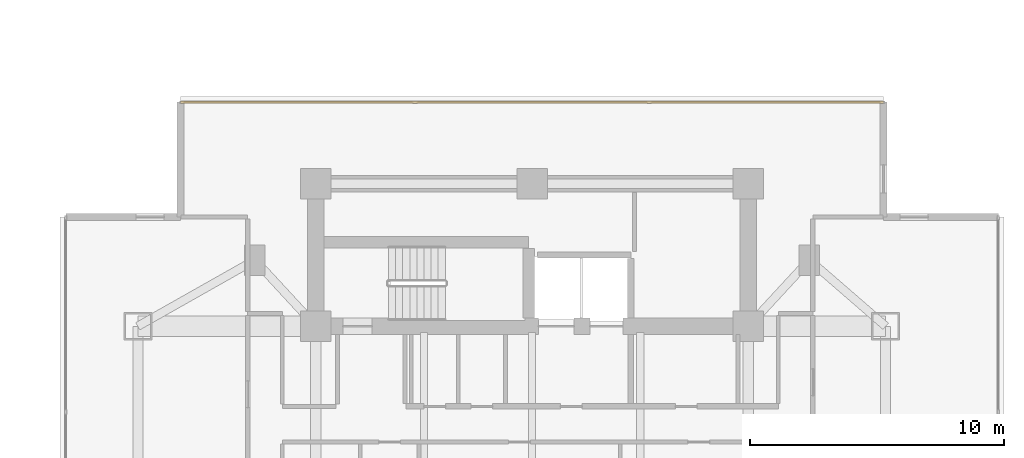
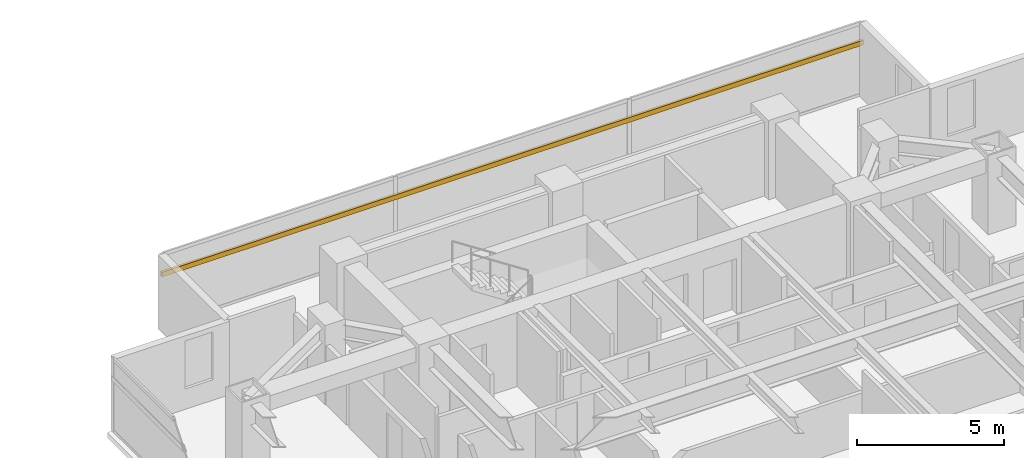
# One storey, part 25 of 25: 1 shading device.
"""IFC4 building model written with IfcOpenShell, lengths in metres."""

from ifc_helpers import new_model, si_unit, direction, frame, origin, origin_2d, place, context, subcontext, project, spatial, rectangle, extrude, material, material_profile, profile_set, type_object, element, save


model = new_model("IFC4")

# Units and contexts
model_context = context("Model", 3, precision=1e-05, world=origin(), true_north=direction((0.0, 1.0)))
body_context = subcontext(model_context, "Body", "Model", "MODEL_VIEW")
ifc_project = project(units=[si_unit("LENGTHUNIT", "METRE"), si_unit("AREAUNIT", "SQUARE_METRE"), si_unit("VOLUMEUNIT", "CUBIC_METRE"), si_unit("PLANEANGLEUNIT", "RADIAN"), si_unit("MASSUNIT", "GRAM", prefix="KILO")], contexts=[model_context])

# Site, building, storey
site_placement = place(None, origin())
site = spatial("IfcSite", under=ifc_project, at=site_placement, CompositionType="ELEMENT")
building_placement = place(site_placement, origin())
building = spatial("IfcBuilding", under=site, at=building_placement, Name="Mirazonda Arch Towers", CompositionType="ELEMENT")
storey_placement = place(building_placement, frame((0.0, 0.0, 104.89990234375)))
storey = spatial("IfcBuildingStorey", under=building, at=storey_placement, Name="L29", CompositionType="ELEMENT", Elevation=104.89990234375)

# Shading device
ifc_material = material(Name="Kiln-Fired Architectural Terracotta", Category="masonry")
ifc_material_profile = material_profile(ifc_material, rectangle(XDim=0.10009765625, YDim=0.199951171875, at=origin_2d()), Name="TERRA-BAG-100x200")
ifc_profile_set = profile_set([ifc_material_profile], Name="Kiln-Fired Architectural Terracotta")
shading_device_type = type_object("IfcShadingDeviceType", Name="BAGUETTE-2", PredefinedType="USERDEFINED", material=ifc_profile_set)
shading_device_placement = place(storey_placement, frame((62.683837890625, 44.013916015625, 2.203369140625), z_axis=(1.0, 0.0, 0.0), x_axis=(0.0, 1.0, 0.0)))
element("IfcShadingDevice", 1, at=shading_device_placement, inside=storey, type_object=shading_device_type, Name="L29 Glazed Terracotta Sun-Screen Baguette CW-L29-T2-N", ObjectType="BAGUETTE", PredefinedType="USERDEFINED", context=body_context, shape_type="SweptSolid", body=[
    extrude(rectangle(XDim=0.10009765625, YDim=0.199951171875, at=origin_2d()), origin(), (0.0, 0.0, 1.0), 27.63232421875),
])

save(model, "model.ifc")
